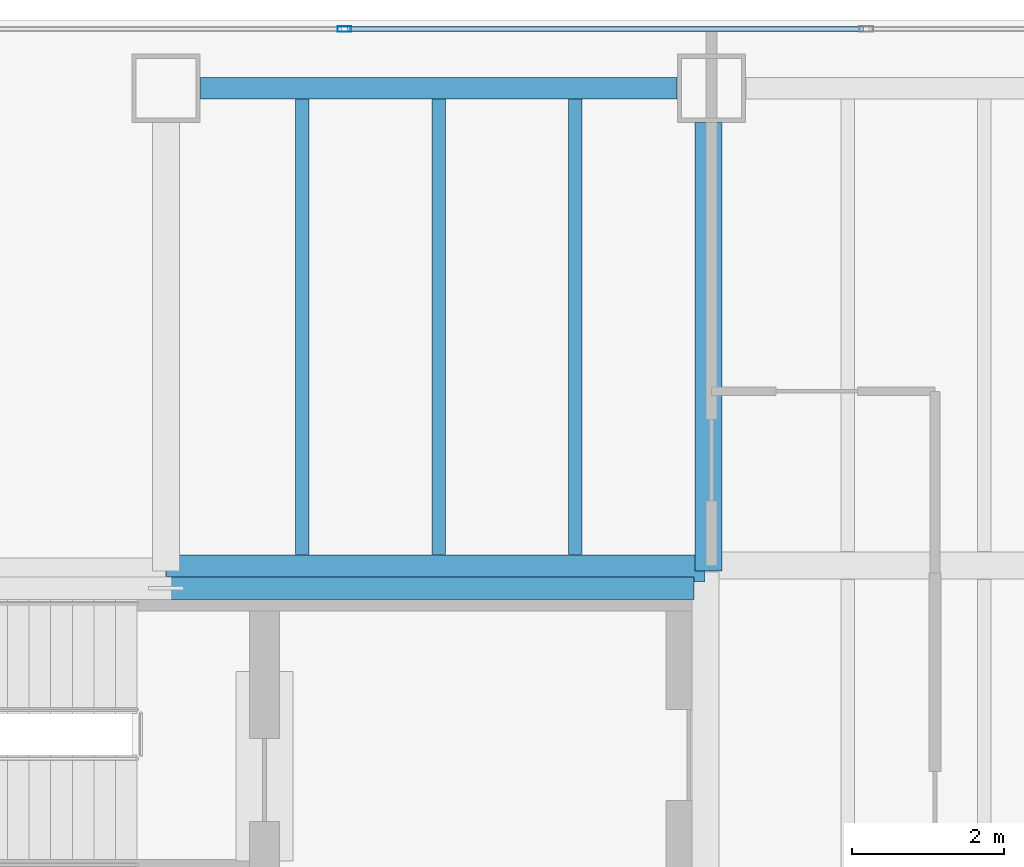
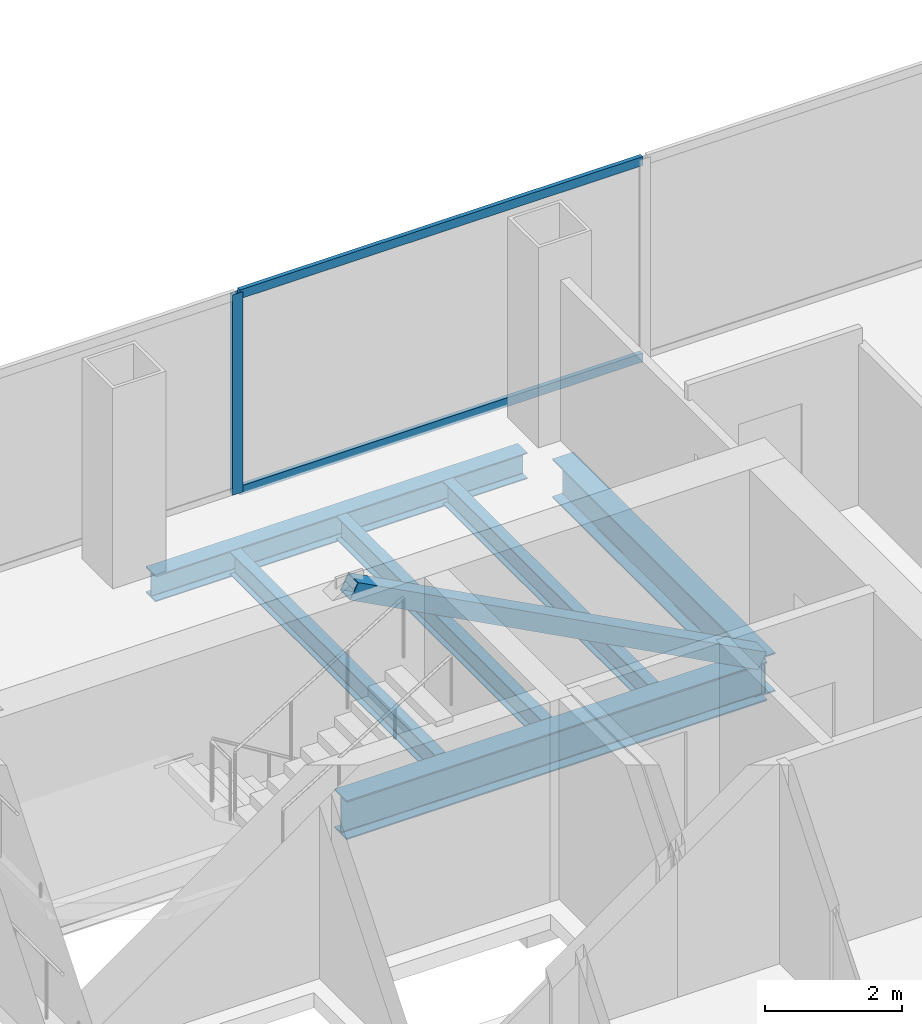
# One storey, part 17 of 23: 6 beams, 4 members, 1 element without a shape of its own.
"""IFC4 building model written with IfcOpenShell, lengths in metres."""

from ifc_helpers import new_model, si_unit, direction, frame, origin, origin_2d, place, context, subcontext, project, spatial, hollow_rectangle, i_section, extrude, material, material_profile, profile_set, type_object, element, aggregate, save


model = new_model("IFC4")

# Units and contexts
model_context = context("Model", 3, precision=1e-05, world=origin(), true_north=direction((0.0, 1.0)))
body_context = subcontext(model_context, "Body", "Model", "MODEL_VIEW")
ifc_project = project(units=[si_unit("LENGTHUNIT", "METRE"), si_unit("AREAUNIT", "SQUARE_METRE"), si_unit("VOLUMEUNIT", "CUBIC_METRE"), si_unit("PLANEANGLEUNIT", "RADIAN"), si_unit("MASSUNIT", "GRAM", prefix="KILO")], contexts=[model_context])

# Site, building, storey
site_placement = place(None, origin())
site = spatial("IfcSite", under=ifc_project, at=site_placement, CompositionType="ELEMENT")
building_placement = place(site_placement, origin())
building = spatial("IfcBuilding", under=site, at=building_placement, Name="Cobrela Telecom Tower", CompositionType="ELEMENT")
storey_placement = place(building_placement, frame((0.0, 0.0, 133.0)))
storey = spatial("IfcBuildingStorey", under=building, at=storey_placement, Name="L33", CompositionType="ELEMENT", Elevation=133.0)

# Beams
ifc_material_1 = material(Name="Steel ASTM A992 Grade 50", Category="steel")
ifc_material_profile_1 = material_profile(ifc_material_1, i_section(OverallWidth=0.35595703125, OverallDepth=0.696044921875, WebThickness=0.015380859375, FlangeThickness=0.024658203125, FilletRadius=0.01806640625, at=origin_2d()), Name="W27X146")
ifc_profile_set_1 = profile_set([ifc_material_profile_1], Name="Steel ASTM A992 Grade 50")
beam_type_1 = type_object("IfcBeamType", Name="BM-GIRD-05", PredefinedType="USERDEFINED", material=ifc_profile_set_1)
beam_1_placement = place(storey_placement, frame((7.205078125, 35.9599609375, -0.617919921875), z_axis=(1.0, 0.0, 0.0), x_axis=(0.0, 1.0, 0.0)))
element("IfcBeam", 1, at=beam_1_placement, inside=storey, type_object=beam_type_1, Name="L33 Primary Girder X26", ObjectType="GIRDER", PredefinedType="USERDEFINED", context=body_context, shape_type="SweptSolid", body=[
    extrude(i_section(OverallWidth=0.35595703125, OverallDepth=0.696044921875, WebThickness=0.015380859375, FlangeThickness=0.024658203125, FilletRadius=0.01806640625, at=origin_2d()), origin(), (0.0, 0.0, 1.0), 7.10986328125),
])
beam_2_placement = place(storey_placement, frame((14.360107421875, 35.925048828125, -0.617919921875), z_axis=(0.0, 1.0, 0.0), x_axis=(-1.0, 0.0, 0.0)))
element("IfcBeam", 2, at=beam_2_placement, inside=storey, type_object=beam_type_1, Name="L33 Primary Girder Y38", ObjectType="GIRDER", PredefinedType="USERDEFINED", context=body_context, shape_type="SweptSolid", body=[
    extrude(i_section(OverallWidth=0.35595703125, OverallDepth=0.696044921875, WebThickness=0.015380859375, FlangeThickness=0.024658203125, FilletRadius=0.01806640625, at=origin_2d()), origin(), (0.0, 0.0, 1.0), 5.919921875),
])
ifc_material_profile_2 = material_profile(ifc_material_1, i_section(OverallWidth=0.179931640625, OverallDepth=0.4169921875, WebThickness=0.010986328125, FlangeThickness=0.01806640625, FilletRadius=0.011962890625, at=origin_2d()), Name="W16X57")
ifc_profile_set_2 = profile_set([ifc_material_profile_2], Name="Steel ASTM A992 Grade 50")
beam_type_2 = type_object("IfcBeamType", Name="BM-JOIST-04", PredefinedType="JOIST", material=ifc_profile_set_2)
for number, where, z_axis, x_axis, name in (
    (3, (9.0, 36.14306640625, -0.478515625), (0.0, 1.0, 0.0), (-1.0, 0.0, 0.0), "L33 Secondary Composite Floor Beam J01"),
    (4, (10.800048828125, 36.14306640625, -0.478515625), (0.0, 1.0, 0.0), (-1.0, 0.0, 0.0), "L33 Secondary Composite Floor Beam J02"),
    (5, (12.60009765625, 36.14306640625, -0.478515625), (0.0, 1.0, 0.0), (-1.0, 0.0, 0.0), "L33 Secondary Composite Floor Beam J03"),
):
    element("IfcBeam", number, at=place(storey_placement, frame(where, z_axis=z_axis, x_axis=x_axis)), inside=storey, type_object=beam_type_2, Name=name, PredefinedType="JOIST", context=body_context, shape_type="SweptSolid", body=[
        extrude(i_section(OverallWidth=0.179931640625, OverallDepth=0.4169921875, WebThickness=0.010986328125, FlangeThickness=0.01806640625, FilletRadius=0.011962890625, at=origin_2d()), origin(), (0.0, 0.0, 1.0), 6.010986328125),
    ])
ifc_material_profile_3 = material_profile(ifc_material_1, i_section(OverallWidth=0.281982421875, OverallDepth=0.467041015625, WebThickness=0.01220703125, FlangeThickness=0.01953125, FilletRadius=0.012939453125, at=origin_2d()), Name="W18X86")
ifc_profile_set_3 = profile_set([ifc_material_profile_3], Name="Steel ASTM A992 Grade 50")
beam_type_3 = type_object("IfcBeamType", Name="BM-SPAND-04", PredefinedType="SPANDREL", material=ifc_profile_set_3)
beam_3_placement = place(storey_placement, frame((7.655029296875, 42.300048828125, -0.50341796875), z_axis=(1.0, 0.0, 0.0), x_axis=(0.0, 1.0, 0.0)))
element("IfcBeam", 6, at=beam_3_placement, inside=storey, type_object=beam_type_3, Name="L33 Perimeter Spandrel X29", PredefinedType="SPANDREL", context=body_context, shape_type="SweptSolid", body=[
    extrude(i_section(OverallWidth=0.281982421875, OverallDepth=0.467041015625, WebThickness=0.01220703125, FlangeThickness=0.01953125, FilletRadius=0.012939453125, at=origin_2d()), origin(), (0.0, 0.0, 1.0), 6.2900390625),
])

# Curtain wall, members
ifc_material_2 = material(Name="Anodized Bronze Aluminium 6063-T6", Category="aluminium")
curtain_wall_type = type_object("IfcCurtainWallType", Name="CW-SYS-TEL", PredefinedType="USERDEFINED", material=ifc_material_2)
curtain_wall_placement = place(storey_placement, origin())
curtain_wall = element("IfcCurtainWall", 7, at=curtain_wall_placement, inside=storey, type_object=curtain_wall_type, Name="L33 Unitised Bronze Curtain Wall 07", ObjectType="UNITISED CURTAIN WALL", PredefinedType="USERDEFINED")
ifc_material_profile_4 = material_profile(ifc_material_2, hollow_rectangle(XDim=0.074951171875, YDim=0.179931640625, WallThickness=0.00390625, at=origin_2d()), Name="ALU 75x180x4")
ifc_profile_set_4 = profile_set([ifc_material_profile_4], Name="Anodized Bronze Aluminium 6063-T6")
member_type_1 = type_object("IfcMemberType", Name="CW-SYS-TEL-MUL", PredefinedType="MULLION", material=ifc_profile_set_4)
member_1_placement = place(storey_placement, frame((9.556640625, 43.080078125, 0.0), z_axis=(0.0, 0.0, 1.0), x_axis=(0.0, 1.0, 0.0)))
member_1 = element("IfcMember", 8, at=member_1_placement, type_object=member_type_1, Name="CW-TEL mullion 2", PredefinedType="MULLION", context=body_context, shape_type="SweptSolid", body=[
    extrude(hollow_rectangle(XDim=0.074951171875, YDim=0.179931640625, WallThickness=0.00390625, at=origin_2d()), origin(), (0.0, 0.0, 1.0), 3.580078125),
])
ifc_material_profile_5 = material_profile(ifc_material_2, hollow_rectangle(XDim=0.070068359375, YDim=0.159912109375, WallThickness=0.00390625, at=origin_2d()), Name="ALU 70x160x4")
ifc_profile_set_5 = profile_set([ifc_material_profile_5], Name="Anodized Bronze Aluminium 6063-T6")
member_type_2 = type_object("IfcMemberType", Name="CW-SYS-TEL-TRN", PredefinedType="USERDEFINED", material=ifc_profile_set_5)
member_2_placement = place(storey_placement, frame((9.59423828125, 43.080078125, 0.034912109375), z_axis=(1.0, 0.0, 0.0), x_axis=(0.0, 1.0, 0.0)))
member_2 = element("IfcMember", 9, at=member_2_placement, type_object=member_type_2, Name="CW-TEL transom 2.1", ObjectType="TRANSOM", PredefinedType="USERDEFINED", context=body_context, shape_type="SweptSolid", body=[
    extrude(hollow_rectangle(XDim=0.070068359375, YDim=0.159912109375, WallThickness=0.00390625, at=origin_2d()), origin(), (0.0, 0.0, 1.0), 6.8115234375),
])
member_3_placement = place(storey_placement, frame((9.59423828125, 43.080078125, 3.544921875), z_axis=(1.0, 0.0, 0.0), x_axis=(0.0, 1.0, 0.0)))
member_3 = element("IfcMember", 10, at=member_3_placement, type_object=member_type_2, Name="CW-TEL transom 2.2", ObjectType="TRANSOM", PredefinedType="USERDEFINED", context=body_context, shape_type="SweptSolid", body=[
    extrude(hollow_rectangle(XDim=0.070068359375, YDim=0.159912109375, WallThickness=0.00390625, at=origin_2d()), origin(), (0.0, 0.0, 1.0), 6.8115234375),
])
aggregate(curtain_wall, [member_1, member_2, member_3])

# Member
ifc_material_3 = material(Name="Steel ASTM A572 Grade 50", Category="steel")
ifc_material_profile_6 = material_profile(ifc_material_3, hollow_rectangle(XDim=0.300048828125, YDim=0.300048828125, WallThickness=0.01611328125, at=origin_2d()), Name="HSS 300x300x16")
ifc_profile_set_6 = profile_set([ifc_material_profile_6], Name="Steel ASTM A572 Grade 50")
member_type_3 = type_object("IfcMemberType", Name="MBR-EXO-03", PredefinedType="BRACE", material=ifc_profile_set_6)
member_4_placement = place(storey_placement, frame((14.10009765625, 35.699951171875, -0.0400390625), z_axis=(-0.883409759267, 0.0, 0.468601320134), x_axis=(0.0, -1.0, 0.0)))
element("IfcMember", 11, at=member_4_placement, inside=storey, type_object=member_type_3, Name="L33 Core Flange Steel Brace N2", PredefinedType="BRACE", context=body_context, shape_type="SweptSolid", body=[
    extrude(hollow_rectangle(XDim=0.300048828125, YDim=0.300048828125, WallThickness=0.01611328125, at=origin_2d()), origin(), (0.0, 0.0, 1.0), 7.810791015625),
])

save(model, "model.ifc")
